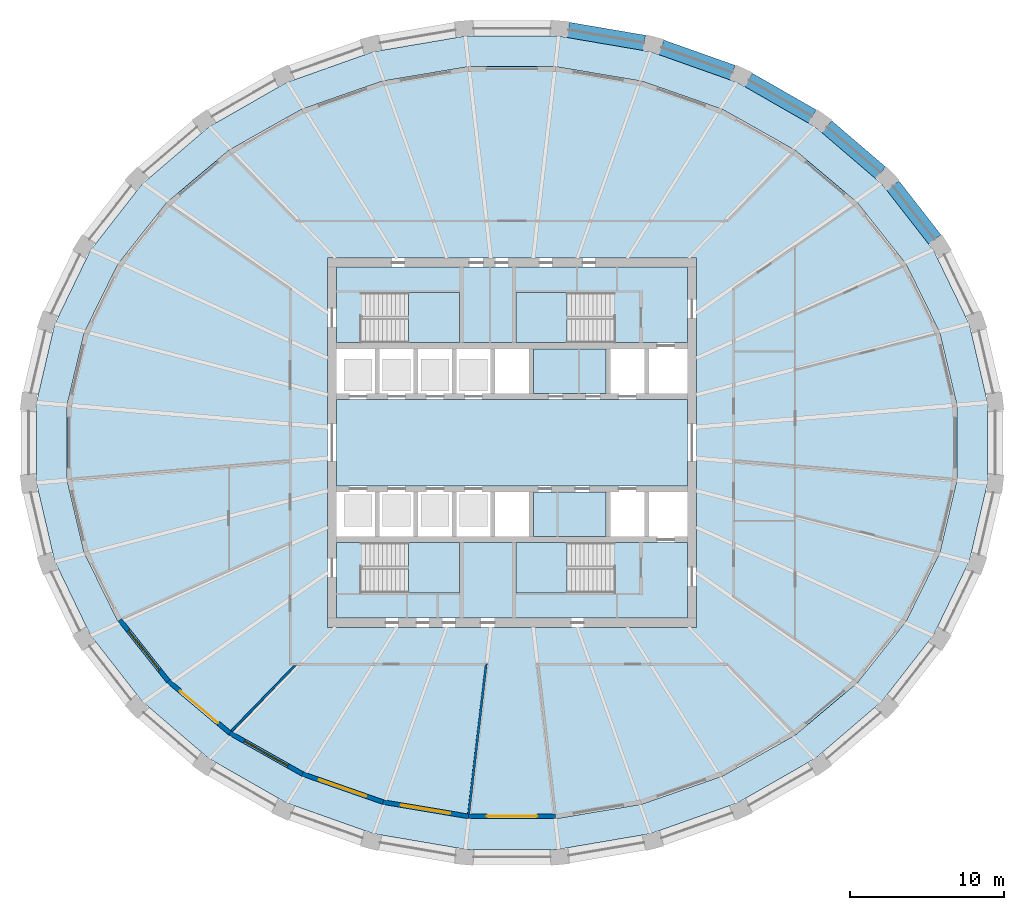
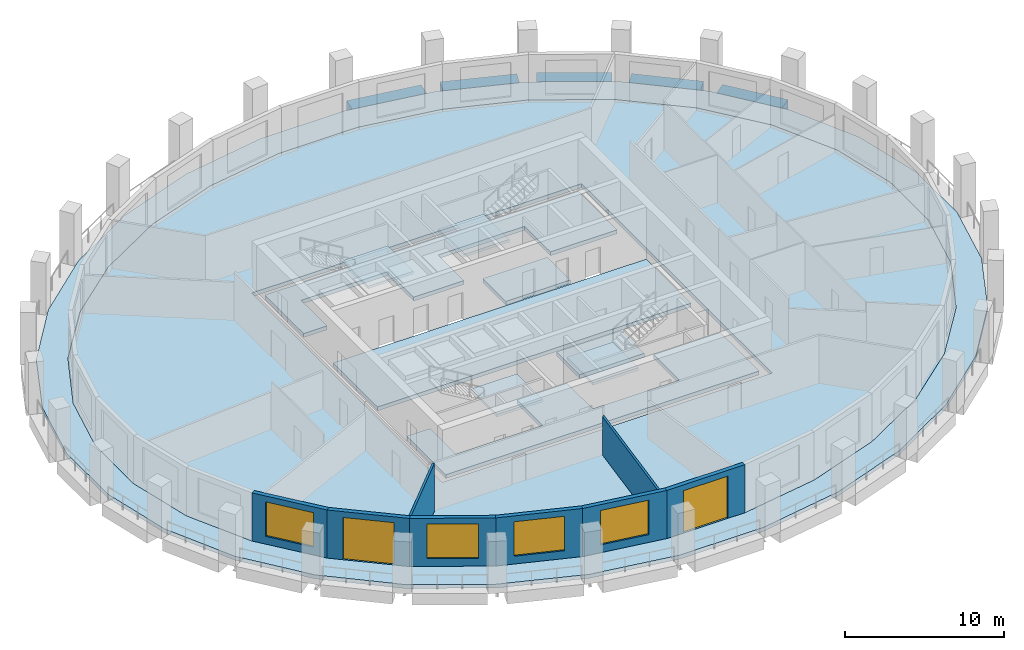
# One storey, part 2 of 11: 11 slabs, 8 walls, 5 beams, 4 windows, 2 doors, 6 openings, 4 elements without a shape of their own.
"""IFC4 building model written with IfcOpenShell, lengths in metres."""

from ifc_helpers import new_model, si_unit, direction, frame, frame_2d, origin, origin_2d, place, context, subcontext, project, spatial, polyline, rectangle, outline, extrude, material, layer, layer_set, material_profile, profile_set, type_object, element, fill, aggregate, save


model = new_model("IFC4")

# Units and contexts
model_context = context("Model", 3, precision=1e-05, world=origin(), true_north=direction((0.0, 1.0)))
body_context = subcontext(model_context, "Body", "Model", "MODEL_VIEW")
ifc_project = project(units=[si_unit("LENGTHUNIT", "METRE"), si_unit("AREAUNIT", "SQUARE_METRE"), si_unit("VOLUMEUNIT", "CUBIC_METRE"), si_unit("PLANEANGLEUNIT", "RADIAN"), si_unit("MASSUNIT", "GRAM", prefix="KILO")], contexts=[model_context])

# Site, building, storey
site_placement = place(None, origin())
site = spatial("IfcSite", under=ifc_project, at=site_placement, CompositionType="ELEMENT")
building_placement = place(site_placement, origin())
building = spatial("IfcBuilding", under=site, at=building_placement, Name="Halqa Exchange Tower", CompositionType="ELEMENT")
storey_placement = place(building_placement, frame((0.0, 0.0, 230.89990234375)))
storey = spatial("IfcBuildingStorey", under=building, at=storey_placement, Name="L53", CompositionType="ELEMENT", Elevation=230.89990234375)

# Beams
ifc_material_1 = material(Name="Concrete C60/75", Category="concrete")
ifc_material_profile = material_profile(ifc_material_1, rectangle(XDim=1.0, YDim=0.89990234375, at=origin_2d()), Name="1000 x 900")
ifc_profile_set = profile_set([ifc_material_profile], Name="Concrete C60/75")
beam_type = type_object("IfcBeamType", Name="RC spandrel beam 1000 x 900 C60/75", PredefinedType="SPANDREL", material=ifc_profile_set)
beam_1_placement = place(storey_placement, frame((27.4736328125, 13.2021484375, -0.449951171875), z_axis=(-0.61480064822, 0.788682548906, 0.0), x_axis=(-0.788682548906, -0.61480064822, 0.0)))
element("IfcBeam", 1, at=beam_1_placement, inside=storey, type_object=beam_type, Name="Spandrel 3", PredefinedType="SPANDREL", context=body_context, shape_type="SweptSolid", body=[
    extrude(rectangle(XDim=1.0, YDim=0.89990234375, at=origin_2d()), origin(), (0.0, 0.0, 1.0), 4.439697265625),
])
beam_2_placement = place(storey_placement, frame((23.954833984375, 17.530517578125, -0.449951171875), z_axis=(-0.759252865995, 0.65079573253, 0.0), x_axis=(-0.65079573253, -0.759252865995, 0.0)))
element("IfcBeam", 2, at=beam_2_placement, inside=storey, type_object=beam_type, Name="Spandrel 4", PredefinedType="SPANDREL", context=body_context, shape_type="SweptSolid", body=[
    extrude(rectangle(XDim=1.0, YDim=0.89990234375, at=origin_2d()), origin(), (0.0, 0.0, 1.0), 4.6123046875),
])
beam_3_placement = place(storey_placement, frame((19.517578125, 21.19189453125, -0.449951171875), z_axis=(-0.867742640568, 0.497013792304, 0.0), x_axis=(-0.497013792304, -0.867742640568, 0.0)))
element("IfcBeam", 3, at=beam_3_placement, inside=storey, type_object=beam_type, Name="Spandrel 5", PredefinedType="SPANDREL", context=body_context, shape_type="SweptSolid", body=[
    extrude(rectangle(XDim=1.0, YDim=0.89990234375, at=origin_2d()), origin(), (0.0, 0.0, 1.0), 4.777099609375),
])
beam_4_placement = place(storey_placement, frame((14.33349609375, 24.04345703125, -0.449951171875), z_axis=(-0.942371691237, 0.334567774234, 0.0), x_axis=(-0.334567774234, -0.942371691237, 0.0)))
element("IfcBeam", 4, at=beam_4_placement, inside=storey, type_object=beam_type, Name="Spandrel 6", PredefinedType="SPANDREL", context=body_context, shape_type="SweptSolid", body=[
    extrude(rectangle(XDim=1.0, YDim=0.89990234375, at=origin_2d()), origin(), (0.0, 0.0, 1.0), 4.916015625),
])
beam_5_placement = place(storey_placement, frame((8.59326171875, 25.97705078125, -0.449951171875), z_axis=(-0.985770147747, 0.16809882751, 0.0), x_axis=(-0.16809882751, -0.985770147747, 0.0)))
element("IfcBeam", 5, at=beam_5_placement, inside=storey, type_object=beam_type, Name="Spandrel 7", PredefinedType="SPANDREL", context=body_context, shape_type="SweptSolid", body=[
    extrude(rectangle(XDim=1.0, YDim=0.89990234375, at=origin_2d()), origin(), (0.0, 0.0, 1.0), 5.00634765625),
])

# Slabs
ifc_layer_1 = layer(ifc_material_1, 0.300048828125)
ifc_layer_set_1 = layer_set([ifc_layer_1], Name="Concrete C60/75")
slab_type_1 = type_object("IfcSlabType", Name="Core floor slab 300", PredefinedType="FLOOR", material=ifc_layer_set_1)
slab_1_placement = place(storey_placement, frame((0.0, 0.0, -0.2998046875)))
element("IfcSlab", 6, at=slab_1_placement, inside=storey, type_object=slab_type_1, Name="Core floor slab", PredefinedType="FLOOR", context=body_context, shape_type="SweptSolid", body=[
    extrude(outline(polyline([(-11.39990234375, 2.800048828125), (11.39990234375, 2.800048828125), (11.39990234375, -2.800048828125), (-11.39990234375, -2.800048828125), (-11.39990234375, 2.800048828125)])), origin(), (0.0, 0.0, 1.0), 0.2998046875),
])
slab_2_placement = place(storey_placement, frame((0.0, 0.0, -0.2998046875)))
element("IfcSlab", 7, at=slab_2_placement, inside=storey, type_object=slab_type_1, Name="Core floor slab", PredefinedType="FLOOR", context=body_context, shape_type="SweptSolid", body=[
    extrude(outline(polyline([(-11.39990234375, 11.39990234375), (11.39990234375, 11.39990234375), (11.39990234375, 6.5), (6.550048828125, 6.5), (6.550048828125, 9.75), (0.25, 9.75), (0.25, 6.5), (-3.39990234375, 6.5), (-3.39990234375, 9.75), (-9.699951171875, 9.75), (-9.699951171875, 6.5), (-11.39990234375, 6.5), (-11.39990234375, 11.39990234375)])), origin(), (0.0, 0.0, 1.0), 0.2998046875),
])
slab_3_placement = place(storey_placement, frame((0.0, 0.0, -0.2998046875)))
element("IfcSlab", 8, at=slab_3_placement, inside=storey, type_object=slab_type_1, Name="Core floor slab", PredefinedType="FLOOR", context=body_context, shape_type="SweptSolid", body=[
    extrude(outline(polyline([(-9.699951171875, -9.75), (-3.39990234375, -9.75), (-3.39990234375, -6.5), (0.25, -6.5), (0.25, -9.75), (6.550048828125, -9.75), (6.550048828125, -6.5), (11.39990234375, -6.5), (11.39990234375, -11.39990234375), (-11.39990234375, -11.39990234375), (-11.39990234375, -6.5), (-9.699951171875, -6.5), (-9.699951171875, -9.75)])), origin(), (0.0, 0.0, 1.0), 0.2998046875),
])
slab_4_placement = place(storey_placement, frame((0.0, 0.0, -0.2998046875)))
element("IfcSlab", 9, at=slab_4_placement, inside=storey, type_object=slab_type_1, Name="Core floor slab", PredefinedType="FLOOR", context=body_context, shape_type="SweptSolid", body=[
    extrude(outline(polyline([(6.10009765625, -3.199951171875), (6.10009765625, -6.10009765625), (1.39990234375, -6.10009765625), (1.39990234375, -3.199951171875), (6.10009765625, -3.199951171875)])), origin(), (0.0, 0.0, 1.0), 0.2998046875),
])
slab_5_placement = place(storey_placement, frame((0.0, 0.0, -0.2998046875)))
element("IfcSlab", 10, at=slab_5_placement, inside=storey, type_object=slab_type_1, Name="Core floor slab", PredefinedType="FLOOR", context=body_context, shape_type="SweptSolid", body=[
    extrude(outline(polyline([(6.10009765625, 6.10009765625), (6.10009765625, 3.199951171875), (1.39990234375, 3.199951171875), (1.39990234375, 6.10009765625), (6.10009765625, 6.10009765625)])), origin(), (0.0, 0.0, 1.0), 0.2998046875),
])
ifc_material_2 = material(Name="Concrete C40/50", Category="concrete")
ifc_layer_2 = layer(ifc_material_2, 0.300048828125)
ifc_layer_set_2 = layer_set([ifc_layer_2], Name="Concrete C40/50")
slab_type_2 = type_object("IfcSlabType", Name="RC floor slab 300", PredefinedType="FLOOR", material=ifc_layer_set_2)
slab_6_placement = place(storey_placement, frame((0.0, 0.0, -0.2998046875)))
element("IfcSlab", 11, at=slab_6_placement, inside=storey, type_object=slab_type_2, Name="Floor slab", PredefinedType="FLOOR", context=body_context, shape_type="SweptSolid", body=[
    extrude(outline(polyline([(28.9140625, 2.411376953125), (27.798583984375, 7.139892578125), (25.612548828125, 11.590087890625), (22.4423828125, 15.5908203125), (18.412353515625, 18.9892578125), (13.677978515625, 21.65673828125), (8.421142578125, 23.49267578125), (2.84326171875, 24.428466796875), (-2.84326171875, 24.428466796875), (-8.421142578125, 23.49267578125), (-13.677978515625, 21.65673828125), (-18.412353515625, 18.9892578125), (-22.4423828125, 15.5908203125), (-25.612548828125, 11.590087890625), (-27.798583984375, 7.139892578125), (-28.9140625, 2.411376953125), (-28.9140625, -2.411376953125), (-27.798583984375, -7.139892578125), (-25.612548828125, -11.590087890625), (-22.4423828125, -15.5908203125), (-18.412353515625, -18.9892578125), (-13.677978515625, -21.65673828125), (-8.421142578125, -23.49267578125), (-2.84326171875, -24.428466796875), (2.84326171875, -24.428466796875), (8.421142578125, -23.49267578125), (13.677978515625, -21.65673828125), (18.412353515625, -18.9892578125), (22.4423828125, -15.5908203125), (25.612548828125, -11.590087890625), (27.798583984375, -7.139892578125), (28.9140625, -2.411376953125), (28.9140625, 2.411376953125)]), holes=[polyline([(-12.0, -12.0), (12.0, -12.0), (12.0, 12.0), (-12.0, 12.0), (-12.0, -12.0)])]), origin(), (0.0, 0.0, 1.0), 0.2998046875),
])
ifc_layer_3 = layer(ifc_material_2, 0.300048828125)
ifc_layer_set_3 = layer_set([ifc_layer_3], Name="Concrete C40/50")
slab_type_3 = type_object("IfcSlabType", Name="RC loggia slab 300", PredefinedType="FLOOR", material=ifc_layer_set_3)
slab_7_placement = place(storey_placement, frame((0.0, 0.0, -0.2998046875)))
element("IfcSlab", 12, at=slab_7_placement, inside=storey, type_object=slab_type_3, Name="Loggia slab", PredefinedType="FLOOR", context=body_context, shape_type="SweptSolid", body=[
    extrude(outline(polyline([(30.900634765625, 2.593505859375), (30.900634765625, -2.593505859375), (29.719482421875, -7.68359375), (27.39990234375, -12.4833984375), (24.027099609375, -16.810302734375), (19.727294921875, -20.49560546875), (14.664306640625, -23.3955078125), (9.03271484375, -25.39501953125), (3.05029296875, -26.414794921875), (-3.05029296875, -26.414794921875), (-9.03271484375, -25.39501953125), (-14.664306640625, -23.3955078125), (-19.727294921875, -20.49560546875), (-24.027099609375, -16.810302734375), (-27.39990234375, -12.4833984375), (-29.719482421875, -7.68359375), (-30.900634765625, -2.593505859375), (-30.900634765625, 2.593505859375), (-29.719482421875, 7.68359375), (-27.39990234375, 12.4833984375), (-24.027099609375, 16.810302734375), (-19.727294921875, 20.49560546875), (-14.664306640625, 23.3955078125), (-9.03271484375, 25.39501953125), (-3.05029296875, 26.414794921875), (3.05029296875, 26.414794921875), (9.03271484375, 25.39501953125), (14.664306640625, 23.3955078125), (19.727294921875, 20.49560546875), (24.027099609375, 16.810302734375), (27.39990234375, 12.4833984375), (29.719482421875, 7.68359375), (30.900634765625, 2.593505859375)]), holes=[polyline([(28.9140625, 2.411376953125), (27.798583984375, 7.139892578125), (25.612548828125, 11.590087890625), (22.4423828125, 15.5908203125), (18.412353515625, 18.9892578125), (13.677978515625, 21.65673828125), (8.421142578125, 23.49267578125), (2.84326171875, 24.428466796875), (-2.84326171875, 24.428466796875), (-8.421142578125, 23.49267578125), (-13.677978515625, 21.65673828125), (-18.412353515625, 18.9892578125), (-22.4423828125, 15.5908203125), (-25.612548828125, 11.590087890625), (-27.798583984375, 7.139892578125), (-28.9140625, 2.411376953125), (-28.9140625, -2.411376953125), (-27.798583984375, -7.139892578125), (-25.612548828125, -11.590087890625), (-22.4423828125, -15.5908203125), (-18.412353515625, -18.9892578125), (-13.677978515625, -21.65673828125), (-8.421142578125, -23.49267578125), (-2.84326171875, -24.428466796875), (2.84326171875, -24.428466796875), (8.421142578125, -23.49267578125), (13.677978515625, -21.65673828125), (18.412353515625, -18.9892578125), (22.4423828125, -15.5908203125), (25.612548828125, -11.590087890625), (27.798583984375, -7.139892578125), (28.9140625, -2.411376953125), (28.9140625, 2.411376953125)])]), origin(), (0.0, 0.0, 1.0), 0.2998046875),
])

# Stair, slab
ifc_material_3 = material(Name="Concrete C30/37", Category="concrete")
stair_type = type_object("IfcStairType", Name="Exit stair 1500 wide", PredefinedType="HALF_TURN_STAIR", material=ifc_material_3)
stair_1_placement = place(storey_placement, origin())
stair_1 = element("IfcStair", 13, at=stair_1_placement, inside=storey, type_object=stair_type, Name="Exit stair ST1", PredefinedType="HALF_TURN_STAIR")
ifc_layer_4 = layer(ifc_material_3, 0.199951171875)
ifc_layer_set_4 = layer_set([ifc_layer_4], Name="Concrete C30/37")
slab_type_4 = type_object("IfcSlabType", Name="Stair landing 200 slab", PredefinedType="LANDING", material=ifc_layer_set_4)
slab_8_placement = place(storey_placement, frame((0.0, 0.0, 1.800048828125)))
slab_8 = element("IfcSlab", 14, at=slab_8_placement, type_object=slab_type_4, Name="ST1 landing 1", PredefinedType="LANDING", context=body_context, shape_type="SweptSolid", body=[
    extrude(outline(polyline([(-6.719970703125, 6.5), (-3.39990234375, 6.5), (-3.39990234375, 9.75), (-6.719970703125, 9.75), (-6.719970703125, 6.5)])), origin(), (0.0, 0.0, 1.0), 0.199951171875),
])
aggregate(stair_1, [slab_8])

stair_2_placement = place(storey_placement, origin())
stair_2 = element("IfcStair", 15, at=stair_2_placement, inside=storey, type_object=stair_type, Name="Exit stair ST2", PredefinedType="HALF_TURN_STAIR")
slab_9_placement = place(storey_placement, frame((0.0, 0.0, 1.800048828125)))
slab_9 = element("IfcSlab", 16, at=slab_9_placement, type_object=slab_type_4, Name="ST2 landing 1", PredefinedType="LANDING", context=body_context, shape_type="SweptSolid", body=[
    extrude(outline(polyline([(0.25, 6.5), (3.570068359375, 6.5), (3.570068359375, 9.75), (0.25, 9.75), (0.25, 6.5)])), origin(), (0.0, 0.0, 1.0), 0.199951171875),
])
aggregate(stair_2, [slab_9])

stair_3_placement = place(storey_placement, origin())
stair_3 = element("IfcStair", 17, at=stair_3_placement, inside=storey, type_object=stair_type, Name="Exit stair ST3", PredefinedType="HALF_TURN_STAIR")
slab_10_placement = place(storey_placement, frame((0.0, 0.0, 1.800048828125)))
slab_10 = element("IfcSlab", 18, at=slab_10_placement, type_object=slab_type_4, Name="ST3 landing 1", PredefinedType="LANDING", context=body_context, shape_type="SweptSolid", body=[
    extrude(outline(polyline([(-6.719970703125, -9.75), (-3.39990234375, -9.75), (-3.39990234375, -6.5), (-6.719970703125, -6.5), (-6.719970703125, -9.75)])), origin(), (0.0, 0.0, 1.0), 0.199951171875),
])
aggregate(stair_3, [slab_10])

stair_4_placement = place(storey_placement, origin())
stair_4 = element("IfcStair", 19, at=stair_4_placement, inside=storey, type_object=stair_type, Name="Exit stair ST4", PredefinedType="HALF_TURN_STAIR")
slab_11_placement = place(storey_placement, frame((0.0, 0.0, 1.800048828125)))
slab_11 = element("IfcSlab", 20, at=slab_11_placement, type_object=slab_type_4, Name="ST4 landing 1", PredefinedType="LANDING", context=body_context, shape_type="SweptSolid", body=[
    extrude(outline(polyline([(0.25, -9.75), (3.570068359375, -9.75), (3.570068359375, -6.5), (0.25, -6.5), (0.25, -9.75)])), origin(), (0.0, 0.0, 1.0), 0.199951171875),
])
aggregate(stair_4, [slab_11])

# Walls
ifc_material_4 = material(Name="Fire-rated gypsum board")
ifc_layer_5 = layer(ifc_material_4, 0.14990234375)
ifc_layer_set_5 = layer_set([ifc_layer_5], Name="Fire-rated gypsum board")
wall_type_1 = type_object("IfcWallType", Name="Fire partition EI 60 150", PredefinedType="PARTITIONING", material=ifc_layer_set_5)
wall_1_placement = place(storey_placement, frame((-14.0322265625, -14.4228515625, 0.0), z_axis=(0.0, 0.0, 1.0), x_axis=(-0.697618878337, -0.716469050684, 0.0)))
element("IfcWall", 21, at=wall_1_placement, inside=storey, type_object=wall_type_1, Name="L53-PWL-008", PredefinedType="PARTITIONING", context=body_context, shape_type="SweptSolid", body=[
    extrude(outline(polyline([(0.0, 0.074951171875), (0.0, 0.07470703125), (0.02197265625, 0.05224609375), (0.01123046875, 0.041748046875), (0.124755859375, -0.074951171875), (2.08642578125, -0.074951171875), (4.0478515625, -0.074951171875), (6.009521484375, -0.074951171875), (6.009521484375, 0.074951171875), (4.507080078125, 0.074951171875), (3.0048828125, 0.074951171875), (1.50244140625, 0.074951171875), (0.0, 0.074951171875)])), origin(), (0.0, 0.0, 1.0), 3.7001953125),
])
wall_2_placement = place(storey_placement, frame((-2.814453125, -24.125, 0.0), z_axis=(0.0, 0.0, 1.0), x_axis=(0.115875821394, 0.993263708195, 0.0)))
element("IfcWall", 22, at=wall_2_placement, inside=storey, type_object=wall_type_1, Name="L53-PWL-011", PredefinedType="PARTITIONING", context=body_context, shape_type="SweptSolid", body=[
    extrude(outline(polyline([(9.875, -0.074951171875), (9.875, -0.07470703125), (9.791015625, 0.0), (9.706787109375, 0.074951171875), (7.765380859375, 0.074951171875), (5.82421875, 0.074951171875), (3.8828125, 0.074951171875), (1.94140625, 0.074951171875), (0.0, 0.074951171875), (0.0, -0.029296875), (0.00537109375, -0.074951171875), (1.979248046875, -0.074951171875), (3.953125, -0.074951171875), (5.92724609375, -0.074951171875), (7.901123046875, -0.074951171875), (9.875, -0.074951171875)])), origin(), (0.0, 0.0, 1.0), 2.947021484375),
])

# Wall, opening, window
ifc_material_5 = material(Name="Limestone cladding", Category="masonry")
ifc_layer_6 = layer(ifc_material_5, 0.0400390625)
ifc_material_6 = material(Name="Ventilated cavity")
ifc_layer_7 = layer(ifc_material_6, 0.030029296875, ventilated=True)
ifc_material_7 = material(Name="Mineral wool insulation")
ifc_layer_8 = layer(ifc_material_7, 0.10009765625)
ifc_layer_9 = layer(ifc_material_3, 0.10009765625)
ifc_material_8 = material(Name="Internal plaster")
ifc_layer_10 = layer(ifc_material_8, 0.030029296875)
ifc_layer_set_6 = layer_set([ifc_layer_6, ifc_layer_7, ifc_layer_8, ifc_layer_9, ifc_layer_10], Name="Stone-faced insulated wall 300")
wall_type_2 = type_object("IfcWallType", Name="Stone-faced insulated wall 300", PredefinedType="STANDARD", material=ifc_layer_set_6)
wall_3_placement = place(storey_placement, frame((-25.485107421875, -11.509765625, 0.0), z_axis=(0.0, 0.0, 1.0), x_axis=(0.621084984443, -0.783743224596, 0.0)))
wall_3 = element("IfcWall", 23, at=wall_3_placement, inside=storey, type_object=wall_type_2, Name="Glass-line wall 19", PredefinedType="STANDARD", context=body_context, shape_type="SweptSolid", body=[
    extrude(outline(polyline([(-0.01611328125, -0.14990234375), (5.08837890625, -0.14990234375), (5.05810546875, 0.14990234375), (0.01611328125, 0.14990234375), (-0.01611328125, -0.14990234375)])), origin(), (0.0, 0.0, 1.0), 3.7001953125),
])
opening_1_placement = place(wall_3_placement, frame((0.91162109375, 0.0, 0.60009765625)))
opening_1 = element("IfcOpeningElement", 24, at=opening_1_placement, cuts=wall_3, Name="Opening W-F3-19", PredefinedType="OPENING", context=body_context, shape_type="SweptSolid", body=[
    extrude(rectangle(XDim=3.25, YDim=2.64990234375, at=frame_2d((1.625, 1.324951171875))), frame((0.0, 0.162109375, 0.0), z_axis=(0.0, -1.0, 0.0), x_axis=(1.0, 0.0, 0.0)), (0.0, 0.0, 1.0), 0.323974609375),
])
ifc_material_9 = material(Name="Clear low-emissivity glass in aluminium frame", Category="aluminium")
window_type = type_object("IfcWindowType", Name="Fixed clear glazed window 3250 x 2650", PartitioningType="TRIPLE_PANEL_VERTICAL", PredefinedType="WINDOW", material=ifc_material_9)
window_1_placement = place(opening_1_placement, origin())
window_1 = element("IfcWindow", 25, at=window_1_placement, inside=storey, type_object=window_type, Name="Window 3", OverallHeight=2.64990234375, OverallWidth=3.25, PartitioningType="TRIPLE_PANEL_VERTICAL", PredefinedType="WINDOW", context=body_context, shape_type="SweptSolid", body=[
    extrude(rectangle(XDim=3.25, YDim=2.64990234375, at=frame_2d((1.625, 1.324951171875))), frame((0.0, 0.030029296875, 0.0), z_axis=(0.0, -1.0, 0.0), x_axis=(1.0, 0.0, 0.0)), (0.0, 0.0, 1.0), 0.06005859375),
])
fill(opening_1, window_1)

# Wall, opening, door
wall_4_placement = place(storey_placement, frame((-22.334228515625, -15.48583984375, 0.0), z_axis=(0.0, 0.0, 1.0), x_axis=(0.764475071601, -0.644653290459, 0.0)))
wall_4 = element("IfcWall", 26, at=wall_4_placement, inside=storey, type_object=wall_type_2, Name="Glass-line wall 20", PredefinedType="STANDARD", context=body_context, shape_type="SweptSolid", body=[
    extrude(outline(polyline([(-0.01513671875, -0.14990234375), (5.2568359375, -0.14990234375), (5.228515625, 0.14990234375), (0.01513671875, 0.14990234375), (-0.01513671875, -0.14990234375)])), origin(), (0.0, 0.0, 1.0), 3.7001953125),
])
opening_2_placement = place(wall_4_placement, frame((0.996337890625, 0.0, 0.0)))
opening_2 = element("IfcOpeningElement", 27, at=opening_2_placement, cuts=wall_4, Name="Opening LG-F3-05", PredefinedType="OPENING", context=body_context, shape_type="SweptSolid", body=[
    extrude(rectangle(XDim=3.25, YDim=3.25, at=frame_2d((1.625, 1.625))), frame((0.0, 0.162109375, 0.0), z_axis=(0.0, -1.0, 0.0), x_axis=(1.0, 0.0, 0.0)), (0.0, 0.0, 1.0), 0.323974609375),
])
door_type = type_object("IfcDoorType", Name="Glazed sliding loggia door 3250 x 3250", OperationType="DOUBLE_DOOR_SLIDING", PredefinedType="DOOR", material=ifc_material_9)
door_1_placement = place(opening_2_placement, origin())
door_1 = element("IfcDoor", 28, at=door_1_placement, inside=storey, type_object=door_type, Name="Loggia door 5", OperationType="DOUBLE_DOOR_SLIDING", OverallHeight=3.25, OverallWidth=3.25, PredefinedType="DOOR", context=body_context, shape_type="SweptSolid", body=[
    extrude(rectangle(XDim=3.25, YDim=3.25, at=frame_2d((1.625, 1.625))), frame((0.0, 0.02490234375, 0.0), z_axis=(0.0, -1.0, 0.0), x_axis=(1.0, 0.0, 0.0)), (0.0, 0.0, 1.0), 0.050048828125),
])
fill(opening_2, door_1)

# Wall, opening, window
wall_5_placement = place(storey_placement, frame((-18.326416015625, -18.865478515625, 0.0), z_axis=(0.0, 0.0, 1.0), x_axis=(0.871225596594, -0.490882837181, 0.0)))
wall_5 = element("IfcWall", 29, at=wall_5_placement, inside=storey, type_object=wall_type_2, Name="Glass-line wall 21", PredefinedType="STANDARD", context=body_context, shape_type="SweptSolid", body=[
    extrude(outline(polyline([(-0.01416015625, -0.14990234375), (5.420166015625, -0.14990234375), (5.393310546875, 0.14990234375), (0.01416015625, 0.14990234375), (-0.01416015625, -0.14990234375)])), origin(), (0.0, 0.0, 1.0), 3.7001953125),
])
opening_3_placement = place(wall_5_placement, frame((1.078369140625, 0.0, 0.60009765625)))
opening_3 = element("IfcOpeningElement", 30, at=opening_3_placement, cuts=wall_5, Name="Opening W-F3-21", PredefinedType="OPENING", context=body_context, shape_type="SweptSolid", body=[
    extrude(rectangle(XDim=3.25, YDim=2.64990234375, at=frame_2d((1.625, 1.324951171875))), frame((0.0, 0.162109375, 0.0), z_axis=(0.0, -1.0, 0.0), x_axis=(1.0, 0.0, 0.0)), (0.0, 0.0, 1.0), 0.323974609375),
])
window_2_placement = place(opening_3_placement, origin())
window_2 = element("IfcWindow", 31, at=window_2_placement, inside=storey, type_object=window_type, Name="Window 3", OverallHeight=2.64990234375, OverallWidth=3.25, PartitioningType="TRIPLE_PANEL_VERTICAL", PredefinedType="WINDOW", context=body_context, shape_type="SweptSolid", body=[
    extrude(rectangle(XDim=3.25, YDim=2.64990234375, at=frame_2d((1.625, 1.324951171875))), frame((0.0, 0.030029296875, 0.0), z_axis=(0.0, -1.0, 0.0), x_axis=(1.0, 0.0, 0.0)), (0.0, 0.0, 1.0), 0.06005859375),
])
fill(opening_3, window_2)

wall_6_placement = place(storey_placement, frame((-13.615966796875, -21.51953125, 0.0), z_axis=(0.0, 0.0, 1.0), x_axis=(0.944075859918, -0.329728328659, 0.0)))
wall_6 = element("IfcWall", 32, at=wall_6_placement, inside=storey, type_object=wall_type_2, Name="Glass-line wall 22", PredefinedType="STANDARD", context=body_context, shape_type="SweptSolid", body=[
    extrude(outline(polyline([(-0.013427734375, -0.14990234375), (5.554931640625, -0.14990234375), (5.529541015625, 0.14990234375), (0.013427734375, 0.14990234375), (-0.013427734375, -0.14990234375)])), origin(), (0.0, 0.0, 1.0), 3.7001953125),
])
opening_4_placement = place(wall_6_placement, frame((1.14599609375, 0.0, 0.60009765625)))
opening_4 = element("IfcOpeningElement", 33, at=opening_4_placement, cuts=wall_6, Name="Opening W-F3-22", PredefinedType="OPENING", context=body_context, shape_type="SweptSolid", body=[
    extrude(rectangle(XDim=3.25, YDim=2.64990234375, at=frame_2d((1.625, 1.324951171875))), frame((0.0, 0.162109375, 0.0), z_axis=(0.0, -1.0, 0.0), x_axis=(1.0, 0.0, 0.0)), (0.0, 0.0, 1.0), 0.323974609375),
])
window_3_placement = place(opening_4_placement, origin())
window_3 = element("IfcWindow", 34, at=window_3_placement, inside=storey, type_object=window_type, Name="Window 3", OverallHeight=2.64990234375, OverallWidth=3.25, PartitioningType="TRIPLE_PANEL_VERTICAL", PredefinedType="WINDOW", context=body_context, shape_type="SweptSolid", body=[
    extrude(rectangle(XDim=3.25, YDim=2.64990234375, at=frame_2d((1.625, 1.324951171875))), frame((0.0, 0.030029296875, 0.0), z_axis=(0.0, -1.0, 0.0), x_axis=(1.0, 0.0, 0.0)), (0.0, 0.0, 1.0), 0.06005859375),
])
fill(opening_4, window_3)

wall_7_placement = place(storey_placement, frame((-8.3837890625, -23.346923828125, 0.0), z_axis=(0.0, 0.0, 1.0), x_axis=(0.986223472554, -0.165418445715, 0.0)))
wall_7 = element("IfcWall", 35, at=wall_7_placement, inside=storey, type_object=wall_type_2, Name="Glass-line wall 23", PredefinedType="STANDARD", context=body_context, shape_type="SweptSolid", body=[
    extrude(outline(polyline([(-0.0126953125, -0.14990234375), (5.64306640625, -0.14990234375), (5.6181640625, 0.14990234375), (0.0126953125, 0.14990234375), (-0.0126953125, -0.14990234375)])), origin(), (0.0, 0.0, 1.0), 3.7001953125),
])
opening_5_placement = place(wall_7_placement, frame((1.190185546875, 0.0, 0.60009765625)))
opening_5 = element("IfcOpeningElement", 36, at=opening_5_placement, cuts=wall_7, Name="Opening W-F3-23", PredefinedType="OPENING", context=body_context, shape_type="SweptSolid", body=[
    extrude(rectangle(XDim=3.25, YDim=2.64990234375, at=frame_2d((1.625, 1.324951171875))), frame((0.0, 0.162109375, 0.0), z_axis=(0.0, -1.0, 0.0), x_axis=(1.0, 0.0, 0.0)), (0.0, 0.0, 1.0), 0.323974609375),
])
window_4_placement = place(opening_5_placement, origin())
window_4 = element("IfcWindow", 37, at=window_4_placement, inside=storey, type_object=window_type, Name="Window 3", OverallHeight=2.64990234375, OverallWidth=3.25, PartitioningType="TRIPLE_PANEL_VERTICAL", PredefinedType="WINDOW", context=body_context, shape_type="SweptSolid", body=[
    extrude(rectangle(XDim=3.25, YDim=2.64990234375, at=frame_2d((1.625, 1.324951171875))), frame((0.0, 0.030029296875, 0.0), z_axis=(0.0, -1.0, 0.0), x_axis=(1.0, 0.0, 0.0)), (0.0, 0.0, 1.0), 0.06005859375),
])
fill(opening_5, window_4)

# Wall, opening, door
wall_8_placement = place(storey_placement, frame((-2.830810546875, -24.2783203125, 0.0), z_axis=(0.0, 0.0, 1.0), x_axis=(1.0, 0.0, 0.0)))
wall_8 = element("IfcWall", 38, at=wall_8_placement, inside=storey, type_object=wall_type_2, Name="Glass-line wall 24", PredefinedType="STANDARD", context=body_context, shape_type="SweptSolid", body=[
    extrude(outline(polyline([(-0.012451171875, -0.14990234375), (5.674072265625, -0.14990234375), (5.649169921875, 0.14990234375), (0.012451171875, 0.14990234375), (-0.012451171875, -0.14990234375)])), origin(), (0.0, 0.0, 1.0), 3.7001953125),
])
opening_6_placement = place(wall_8_placement, frame((1.205810546875, 0.0, 0.0)))
opening_6 = element("IfcOpeningElement", 39, at=opening_6_placement, cuts=wall_8, Name="Opening LG-F3-06", PredefinedType="OPENING", context=body_context, shape_type="SweptSolid", body=[
    extrude(rectangle(XDim=3.25, YDim=3.25, at=frame_2d((1.625, 1.625))), frame((0.0, 0.162109375, 0.0), z_axis=(0.0, -1.0, 0.0), x_axis=(1.0, 0.0, 0.0)), (0.0, 0.0, 1.0), 0.323974609375),
])
door_2_placement = place(opening_6_placement, origin())
door_2 = element("IfcDoor", 40, at=door_2_placement, inside=storey, type_object=door_type, Name="Loggia door 6", OperationType="DOUBLE_DOOR_SLIDING", OverallHeight=3.25, OverallWidth=3.25, PredefinedType="DOOR", context=body_context, shape_type="SweptSolid", body=[
    extrude(rectangle(XDim=3.25, YDim=3.25, at=frame_2d((1.625, 1.625))), frame((0.0, 0.02490234375, 0.0), z_axis=(0.0, -1.0, 0.0), x_axis=(1.0, 0.0, 0.0)), (0.0, 0.0, 1.0), 0.050048828125),
])
fill(opening_6, door_2)

save(model, "model.ifc")
